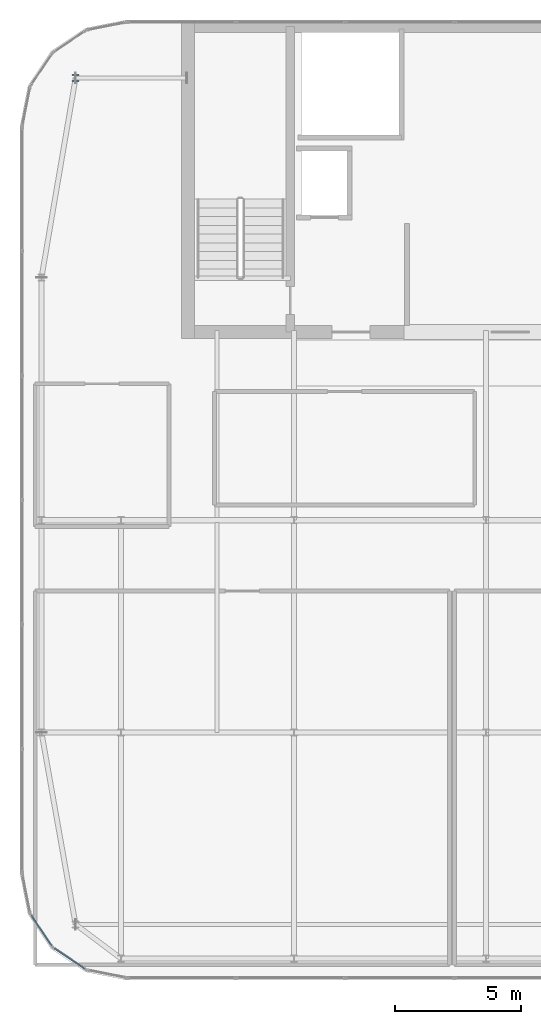
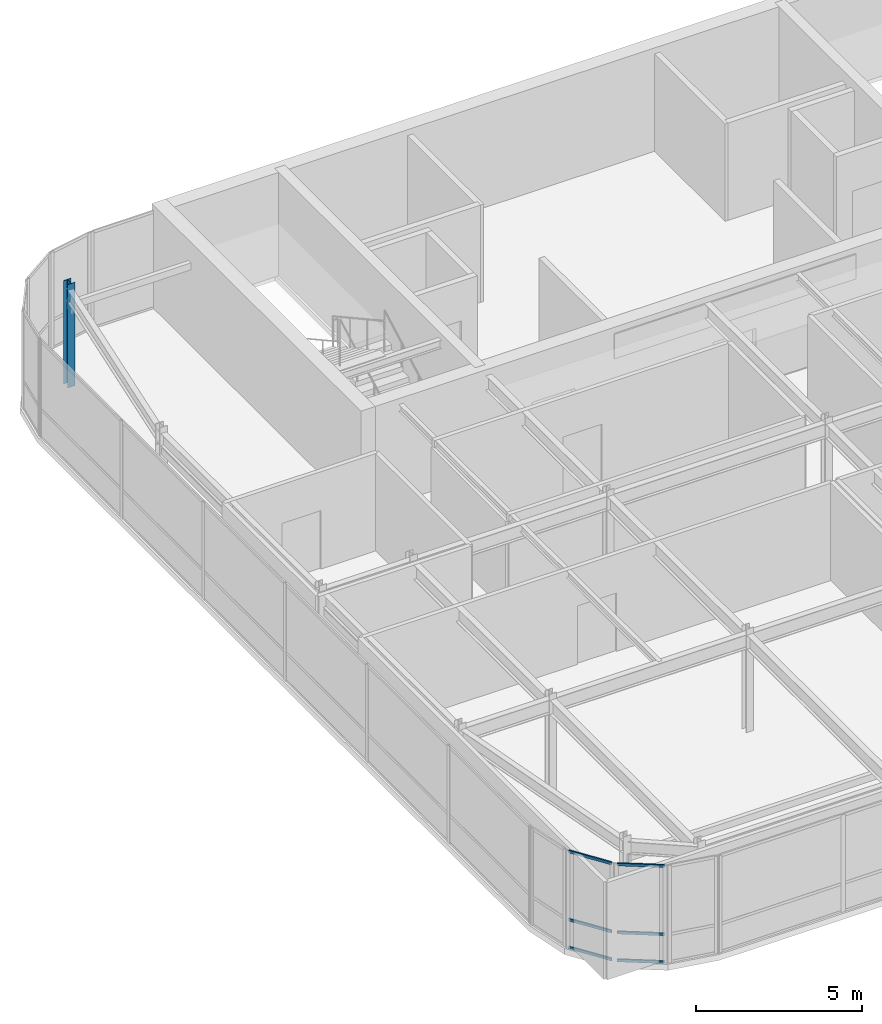
# One storey, part 4 of 36: 6 members, 1 column, 2 elements without a shape of their own.
"""IFC4 building model written with IfcOpenShell, lengths in metres."""

from ifc_helpers import new_model, si_unit, direction, frame, origin, origin_2d, place, context, subcontext, project, spatial, hollow_rectangle, i_section, extrude, source, transform, mapped, material, layer, layer_set, material_profile, profile_set, type_object, type_shapes, element, aggregate, save


model = new_model("IFC4")

# Units and contexts
model_context = context("Model", 3, precision=1e-05, world=origin(), true_north=direction((0.0, 1.0)))
body_context = subcontext(model_context, "Body", "Model", "MODEL_VIEW")
ifc_project = project(units=[si_unit("LENGTHUNIT", "METRE"), si_unit("AREAUNIT", "SQUARE_METRE"), si_unit("VOLUMEUNIT", "CUBIC_METRE"), si_unit("PLANEANGLEUNIT", "RADIAN"), si_unit("MASSUNIT", "GRAM", prefix="KILO")], contexts=[model_context])

# Site, building, storey
site_placement = place(None, origin())
site = spatial("IfcSite", under=ifc_project, at=site_placement, CompositionType="ELEMENT")
building_placement = place(site_placement, origin())
building = spatial("IfcBuilding", under=site, at=building_placement, Name="Tolvann Quenvar Hotel", CompositionType="ELEMENT")
storey_placement = place(building_placement, frame((0.0, 0.0, 294.75)))
storey = spatial("IfcBuildingStorey", under=building, at=storey_placement, Name="L78", CompositionType="ELEMENT", Elevation=294.75)

# Column
ifc_material_1 = material(Name="Steel Grade 350", Category="steel")
ifc_material_profile_1 = material_profile(ifc_material_1, i_section(OverallWidth=0.256103515625, OverallDepth=0.260009765625, WebThickness=0.010498046875, FlangeThickness=0.017333984375, FilletRadius=0.013916015625, at=origin_2d()), Name="250UC90")
ifc_profile_set_1 = profile_set([ifc_material_profile_1], Name="Steel Grade 350")
column_type = type_object("IfcColumnType", Name="COL_250UC90", PredefinedType="COLUMN", material=ifc_profile_set_1)
shared_shape_1 = source(origin(), body_context, "Body", "SweptSolid", [
    extrude(i_section(OverallWidth=0.256103515625, OverallDepth=0.260009765625, WebThickness=0.010498046875, FlangeThickness=0.017333984375, FilletRadius=0.013916015625, at=origin_2d()), origin(), (0.0, 0.0, 1.0), 3.800048828125),
])
type_shapes(column_type, [shared_shape_1])
column_placement = place(storey_placement, frame((5.800048828125, 41.89990234375, 0.0), z_axis=(0.0, 0.0, 1.0), x_axis=(1.0, 0.0, 0.0)))
element("IfcColumn", 1, at=column_placement, inside=storey, type_object=column_type, Name="Column BN (L78)", PredefinedType="COLUMN", context=body_context, shape_type="MappedRepresentation", body=[
    mapped(shared_shape_1, transform((0.0, 0.0, 0.0), x_axis=(1.0, 0.0, 0.0), y_axis=(0.0, 1.0, 0.0), z_axis=(0.0, 0.0, 1.0), scale=1.0)),
])

# Curtain wall, members
ifc_material_2 = material(Name="Thermally broken anodised architectural aluminium 6063-T6 and laminated low-E glass", Category="aluminium")
ifc_layer = layer(ifc_material_2, 0.179931640625)
ifc_layer_set = layer_set([ifc_layer], Name="Thermally broken anodised architectural aluminium 6063-T6 and laminated low-E glass")
curtain_wall_type = type_object("IfcCurtainWallType", Name="CW_SYS_LANT_06", PredefinedType="USERDEFINED", material=ifc_layer_set)
curtain_wall_1_placement = place(storey_placement, origin())
curtain_wall_1 = element("IfcCurtainWall", 2, at=curtain_wall_1_placement, inside=storey, type_object=curtain_wall_type, Name="Curtain Wall CW-LANT-06 (CWR-L78-E01)", ObjectType="UNITISED CURTAIN WALL", PredefinedType="USERDEFINED")
ifc_material_3 = material(Name="Anodised architectural aluminium 6063-T6 framing", Category="aluminium")
ifc_material_profile_2 = material_profile(ifc_material_3, hollow_rectangle(XDim=0.050048828125, YDim=0.10009765625, WallThickness=0.0029296875, at=origin_2d()), Name="100x50x3RHS")
ifc_profile_set_2 = profile_set([ifc_material_profile_2], Name="Anodised architectural aluminium 6063-T6 framing")
member_type = type_object("IfcMemberType", Name="CW_TRAN_100x50", PredefinedType="USERDEFINED", material=ifc_profile_set_2)
shared_shape_2 = source(origin(), body_context, "Body", "SweptSolid", [
    extrude(hollow_rectangle(XDim=0.050048828125, YDim=0.10009765625, WallThickness=0.0029296875, at=origin_2d()), origin(), (0.0, 0.0, 1.0), 1.439208984375),
])
type_shapes(member_type, [shared_shape_2])
member_1_placement = place(storey_placement, frame((4.0498046875, 8.759765625, 0.02490234375), z_axis=(0.555717578985, -0.831371139989, 0.0), x_axis=(0.831371139989, 0.555717578985, 0.0)))
member_1 = element("IfcMember", 3, at=member_1_placement, type_object=member_type, Name="CW-LANT-06 transom 1.1", ObjectType="TRANSOM", PredefinedType="USERDEFINED", context=body_context, shape_type="MappedRepresentation", body=[
    mapped(shared_shape_2, transform((0.0, 0.0, 0.0), x_axis=(1.0, 0.0, 0.0), y_axis=(0.0, 1.0, 0.0), z_axis=(0.0, 0.0, 1.0), scale=1.0)),
])
member_2_placement = place(storey_placement, frame((4.0498046875, 8.759765625, 1.050048828125), z_axis=(0.555717578985, -0.831371139989, 0.0), x_axis=(0.831371139989, 0.555717578985, 0.0)))
member_2 = element("IfcMember", 4, at=member_2_placement, type_object=member_type, Name="CW-LANT-06 transom 1.2", ObjectType="TRANSOM", PredefinedType="USERDEFINED", context=body_context, shape_type="MappedRepresentation", body=[
    mapped(shared_shape_2, transform((0.0, 0.0, 0.0), x_axis=(1.0, 0.0, 0.0), y_axis=(0.0, 1.0, 0.0), z_axis=(0.0, 0.0, 1.0), scale=1.0)),
])
member_3_placement = place(storey_placement, frame((4.0498046875, 8.759765625, 3.554931640625), z_axis=(0.555717578985, -0.831371139989, 0.0), x_axis=(0.831371139989, 0.555717578985, 0.0)))
member_3 = element("IfcMember", 5, at=member_3_placement, type_object=member_type, Name="CW-LANT-06 transom 1.3", ObjectType="TRANSOM", PredefinedType="USERDEFINED", context=body_context, shape_type="MappedRepresentation", body=[
    mapped(shared_shape_2, transform((0.0, 0.0, 0.0), x_axis=(1.0, 0.0, 0.0), y_axis=(0.0, 1.0, 0.0), z_axis=(0.0, 0.0, 1.0), scale=1.0)),
])
aggregate(curtain_wall_1, [member_1, member_2, member_3])

curtain_wall_2_placement = place(storey_placement, origin())
curtain_wall_2 = element("IfcCurtainWall", 6, at=curtain_wall_2_placement, inside=storey, type_object=curtain_wall_type, Name="Curtain Wall CW-LANT-06 (CWR-L78-E02)", ObjectType="UNITISED CURTAIN WALL", PredefinedType="USERDEFINED")
member_4_placement = place(storey_placement, frame((4.963134765625, 7.449462890625, 0.02490234375), z_axis=(0.831449510818, -0.555600315839, 0.0), x_axis=(0.555600315839, 0.831449510818, 0.0)))
member_4 = element("IfcMember", 7, at=member_4_placement, type_object=member_type, Name="CW-LANT-06 transom 1.1", ObjectType="TRANSOM", PredefinedType="USERDEFINED", context=body_context, shape_type="MappedRepresentation", body=[
    mapped(shared_shape_2, transform((0.0, 0.0, 0.0), x_axis=(1.0, 0.0, 0.0), y_axis=(0.0, 1.0, 0.0), z_axis=(0.0, 0.0, 1.0), scale=1.0)),
])
member_5_placement = place(storey_placement, frame((4.963134765625, 7.449462890625, 1.050048828125), z_axis=(0.831449510818, -0.555600315839, 0.0), x_axis=(0.555600315839, 0.831449510818, 0.0)))
member_5 = element("IfcMember", 8, at=member_5_placement, type_object=member_type, Name="CW-LANT-06 transom 1.2", ObjectType="TRANSOM", PredefinedType="USERDEFINED", context=body_context, shape_type="MappedRepresentation", body=[
    mapped(shared_shape_2, transform((0.0, 0.0, 0.0), x_axis=(1.0, 0.0, 0.0), y_axis=(0.0, 1.0, 0.0), z_axis=(0.0, 0.0, 1.0), scale=1.0)),
])
member_6_placement = place(storey_placement, frame((4.963134765625, 7.449462890625, 3.554931640625), z_axis=(0.831449510818, -0.555600315839, 0.0), x_axis=(0.555600315839, 0.831449510818, 0.0)))
member_6 = element("IfcMember", 9, at=member_6_placement, type_object=member_type, Name="CW-LANT-06 transom 1.3", ObjectType="TRANSOM", PredefinedType="USERDEFINED", context=body_context, shape_type="MappedRepresentation", body=[
    mapped(shared_shape_2, transform((0.0, 0.0, 0.0), x_axis=(1.0, 0.0, 0.0), y_axis=(0.0, 1.0, 0.0), z_axis=(0.0, 0.0, 1.0), scale=1.0)),
])
aggregate(curtain_wall_2, [member_4, member_5, member_6])

save(model, "model.ifc")
